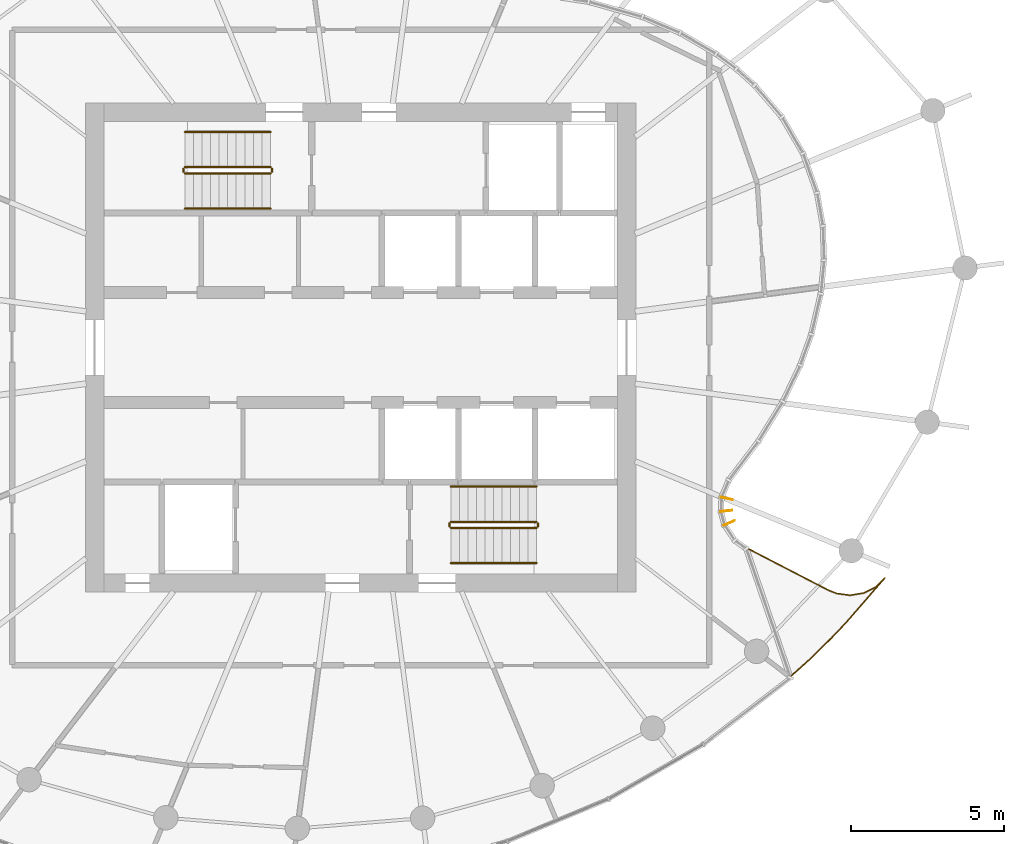
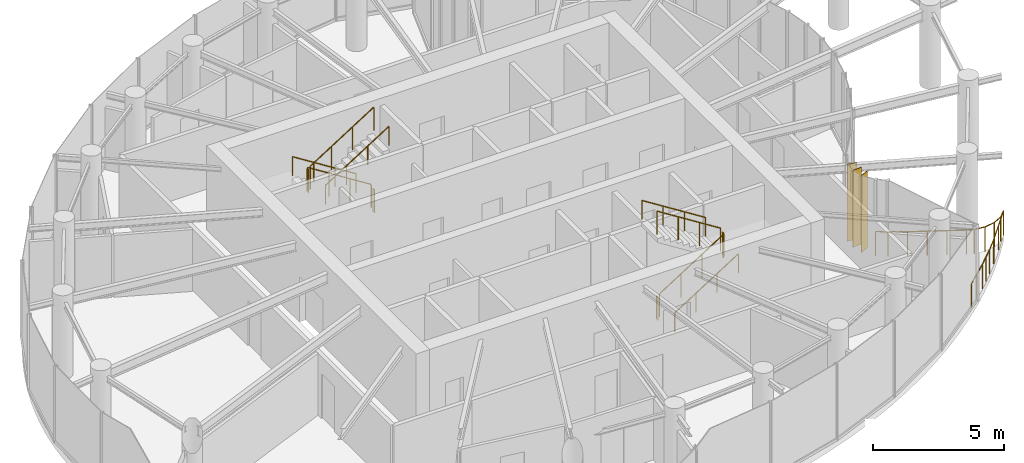
# One storey, part 13 of 14: 13 railings, 3 shading devices.
"""IFC4 building model written with IfcOpenShell, lengths in metres."""

from ifc_helpers import new_model, si_unit, direction, frame, origin, origin_2d, place, context, subcontext, project, spatial, rectangle, circle, extrude, source, transform, mapped, material, material_profile, profile_set, type_object, element, save


model = new_model("IFC4")

# Units and contexts
model_context = context("Model", 3, precision=1e-05, world=origin(), true_north=direction((0.0, 1.0)))
body_context = subcontext(model_context, "Body", "Model", "MODEL_VIEW")
ifc_project = project(units=[si_unit("LENGTHUNIT", "METRE"), si_unit("AREAUNIT", "SQUARE_METRE"), si_unit("VOLUMEUNIT", "CUBIC_METRE"), si_unit("PLANEANGLEUNIT", "RADIAN"), si_unit("MASSUNIT", "GRAM", prefix="KILO")], contexts=[model_context])

# Site, building, storey
site_placement = place(None, origin())
site = spatial("IfcSite", under=ifc_project, at=site_placement, CompositionType="ELEMENT")
building_placement = place(site_placement, origin())
building = spatial("IfcBuilding", under=site, at=building_placement, Name="Spindrift Exchange Tower", CompositionType="ELEMENT")
storey_placement = place(building_placement, frame((0.0, 0.0, 238.39990234375)))
storey = spatial("IfcBuildingStorey", under=building, at=storey_placement, Name="L58", CompositionType="ELEMENT", Elevation=238.39990234375)

# Railings
ifc_material_1 = material(Name="Steel balustrade", Category="steel")
railing_type_1 = type_object("IfcRailingType", Name="RL-STAIR-GUARD", PredefinedType="GUARDRAIL", material=ifc_material_1)
railing_1_placement = place(storey_placement, frame((49.050048828125, 53.89990234375, 0.177490234375)))
element("IfcRailing", 1, at=railing_1_placement, inside=storey, type_object=railing_type_1, Name="L58 ST1 stair guard 1", PredefinedType="GUARDRAIL", context=body_context, shape_type="SweptSolid", body=[
    extrude(circle(Radius=0.02392578125, at=origin_2d()), frame((0.0, 0.0, 1.076171875), z_axis=(-0.844908973607, 0.0, 0.534910110503), x_axis=(0.0, -1.0, 0.0)), (0.0, 0.0, 1.0), 3.31396484375),
    extrude(circle(Radius=0.02099609375, at=origin_2d()), origin(), (0.0, 0.0, 1.0), 1.052001953125),
    extrude(circle(Radius=0.02099609375, at=origin_2d()), frame((-0.933349609375, 0.0, 0.5908203125)), (0.0, 0.0, 1.0), 1.052001953125),
    extrude(circle(Radius=0.02099609375, at=origin_2d()), frame((-1.86669921875, 0.0, 1.181884765625)), (0.0, 0.0, 1.0), 1.052001953125),
    extrude(circle(Radius=0.02099609375, at=origin_2d()), frame((-2.800048828125, 0.0, 1.772705078125)), (0.0, 0.0, 1.0), 1.052001953125),
])
railing_2_placement = place(storey_placement, frame((46.199951171875, 53.85009765625, 1.9501953125)))
element("IfcRailing", 2, at=railing_2_placement, inside=storey, type_object=railing_type_1, Name="L58 ST1 stair guard 2", PredefinedType="GUARDRAIL", context=body_context, shape_type="SweptSolid", body=[
    extrude(circle(Radius=0.02392578125, at=origin_2d()), frame((0.0, 0.0, 1.076171875), z_axis=(0.0, -1.0, 0.0), x_axis=(1.0, 0.0, 0.0)), (0.0, 0.0, 1.0), 0.10009765625),
    extrude(circle(Radius=0.02099609375, at=origin_2d()), origin(), (0.0, 0.0, 1.0), 1.052001953125),
    extrude(circle(Radius=0.02099609375, at=origin_2d()), frame((0.0, -0.10009765625, 0.0)), (0.0, 0.0, 1.0), 1.052001953125),
])
railing_3_placement = place(storey_placement, frame((46.25, 53.699951171875, 2.12744140625)))
element("IfcRailing", 3, at=railing_3_placement, inside=storey, type_object=railing_type_1, Name="L58 ST1 stair guard 3", PredefinedType="GUARDRAIL", context=body_context, shape_type="SweptSolid", body=[
    extrude(circle(Radius=0.02392578125, at=origin_2d()), frame((0.0, 0.0, 1.076171875), z_axis=(0.844908973607, 0.0, 0.534910110503), x_axis=(0.0, 1.0, 0.0)), (0.0, 0.0, 1.0), 3.31396484375),
    extrude(circle(Radius=0.02099609375, at=origin_2d()), origin(), (0.0, 0.0, 1.0), 1.052001953125),
    extrude(circle(Radius=0.02099609375, at=origin_2d()), frame((0.933349609375, 0.0, 0.5908203125)), (0.0, 0.0, 1.0), 1.052001953125),
    extrude(circle(Radius=0.02099609375, at=origin_2d()), frame((1.86669921875, 0.0, 1.181884765625)), (0.0, 0.0, 1.0), 1.052001953125),
    extrude(circle(Radius=0.02099609375, at=origin_2d()), frame((2.800048828125, 0.0, 1.772705078125)), (0.0, 0.0, 1.0), 1.052001953125),
])
railing_4_placement = place(storey_placement, frame((49.10009765625, 53.85009765625, 0.0)))
element("IfcRailing", 4, at=railing_4_placement, inside=storey, type_object=railing_type_1, Name="L58 ST1 stair guard 4", PredefinedType="GUARDRAIL", context=body_context, shape_type="SweptSolid", body=[
    extrude(circle(Radius=0.02392578125, at=origin_2d()), frame((0.0, 0.0, 1.076171875), z_axis=(0.0, -1.0, 0.0), x_axis=(1.0, 0.0, 0.0)), (0.0, 0.0, 1.0), 0.10009765625),
    extrude(circle(Radius=0.02099609375, at=origin_2d()), origin(), (0.0, 0.0, 1.0), 1.052001953125),
    extrude(circle(Radius=0.02099609375, at=origin_2d()), frame((0.0, -0.10009765625, 0.0)), (0.0, 0.0, 1.0), 1.052001953125),
])
railing_5_placement = place(storey_placement, frame((54.949951171875, 42.10009765625, 0.177490234375)))
element("IfcRailing", 5, at=railing_5_placement, inside=storey, type_object=railing_type_1, Name="L58 ST2 stair guard 1", PredefinedType="GUARDRAIL", context=body_context, shape_type="SweptSolid", body=[
    extrude(circle(Radius=0.02392578125, at=origin_2d()), frame((0.0, 0.0, 1.076171875), z_axis=(0.844908973607, 0.0, 0.534910110503), x_axis=(0.0, 1.0, 0.0)), (0.0, 0.0, 1.0), 3.31396484375),
    extrude(circle(Radius=0.02099609375, at=origin_2d()), origin(), (0.0, 0.0, 1.0), 1.052001953125),
    extrude(circle(Radius=0.02099609375, at=origin_2d()), frame((0.933349609375, 0.0, 0.5908203125)), (0.0, 0.0, 1.0), 1.052001953125),
    extrude(circle(Radius=0.02099609375, at=origin_2d()), frame((1.86669921875, 0.0, 1.181884765625)), (0.0, 0.0, 1.0), 1.052001953125),
    extrude(circle(Radius=0.02099609375, at=origin_2d()), frame((2.800048828125, 0.0, 1.772705078125)), (0.0, 0.0, 1.0), 1.052001953125),
])
railing_6_placement = place(storey_placement, frame((57.800048828125, 42.14990234375, 1.9501953125)))
element("IfcRailing", 6, at=railing_6_placement, inside=storey, type_object=railing_type_1, Name="L58 ST2 stair guard 2", PredefinedType="GUARDRAIL", context=body_context, shape_type="SweptSolid", body=[
    extrude(circle(Radius=0.02392578125, at=origin_2d()), frame((0.0, 0.0, 1.076171875), z_axis=(0.0, 1.0, 0.0), x_axis=(-1.0, 0.0, 0.0)), (0.0, 0.0, 1.0), 0.10009765625),
    extrude(circle(Radius=0.02099609375, at=origin_2d()), origin(), (0.0, 0.0, 1.0), 1.052001953125),
    extrude(circle(Radius=0.02099609375, at=origin_2d()), frame((0.0, 0.10009765625, 0.0)), (0.0, 0.0, 1.0), 1.052001953125),
])
railing_7_placement = place(storey_placement, frame((57.75, 42.300048828125, 2.12744140625)))
element("IfcRailing", 7, at=railing_7_placement, inside=storey, type_object=railing_type_1, Name="L58 ST2 stair guard 3", PredefinedType="GUARDRAIL", context=body_context, shape_type="SweptSolid", body=[
    extrude(circle(Radius=0.02392578125, at=origin_2d()), frame((0.0, 0.0, 1.076171875), z_axis=(-0.844908973607, 0.0, 0.534910110503), x_axis=(0.0, -1.0, 0.0)), (0.0, 0.0, 1.0), 3.31396484375),
    extrude(circle(Radius=0.02099609375, at=origin_2d()), origin(), (0.0, 0.0, 1.0), 1.052001953125),
    extrude(circle(Radius=0.02099609375, at=origin_2d()), frame((-0.933349609375, 0.0, 0.5908203125)), (0.0, 0.0, 1.0), 1.052001953125),
    extrude(circle(Radius=0.02099609375, at=origin_2d()), frame((-1.86669921875, 0.0, 1.181884765625)), (0.0, 0.0, 1.0), 1.052001953125),
    extrude(circle(Radius=0.02099609375, at=origin_2d()), frame((-2.800048828125, 0.0, 1.772705078125)), (0.0, 0.0, 1.0), 1.052001953125),
])
railing_8_placement = place(storey_placement, frame((54.89990234375, 42.14990234375, 0.0)))
element("IfcRailing", 8, at=railing_8_placement, inside=storey, type_object=railing_type_1, Name="L58 ST2 stair guard 4", PredefinedType="GUARDRAIL", context=body_context, shape_type="SweptSolid", body=[
    extrude(circle(Radius=0.02392578125, at=origin_2d()), frame((0.0, 0.0, 1.076171875), z_axis=(0.0, 1.0, 0.0), x_axis=(-1.0, 0.0, 0.0)), (0.0, 0.0, 1.0), 0.10009765625),
    extrude(circle(Radius=0.02099609375, at=origin_2d()), origin(), (0.0, 0.0, 1.0), 1.052001953125),
    extrude(circle(Radius=0.02099609375, at=origin_2d()), frame((0.0, 0.10009765625, 0.0)), (0.0, 0.0, 1.0), 1.052001953125),
])
ifc_material_2 = material(Name="Steel tubular handrail", Category="steel")
railing_type_2 = type_object("IfcRailingType", Name="RL-STAIR-HAND", PredefinedType="HANDRAIL", material=ifc_material_2)
railing_9_placement = place(storey_placement, frame((49.050048828125, 55.050048828125, 0.177490234375)))
element("IfcRailing", 9, at=railing_9_placement, inside=storey, type_object=railing_type_2, Name="L58 ST1 stair handrail 1", PredefinedType="HANDRAIL", context=body_context, shape_type="SweptSolid", body=[
    extrude(circle(Radius=0.02392578125, at=origin_2d()), frame((0.0, 0.0, 0.8759765625), z_axis=(-0.844908973607, 0.0, 0.534910110503), x_axis=(0.0, -1.0, 0.0)), (0.0, 0.0, 1.0), 3.31396484375),
    extrude(circle(Radius=0.02099609375, at=origin_2d()), origin(), (0.0, 0.0, 1.0), 0.851806640625),
    extrude(circle(Radius=0.02099609375, at=origin_2d()), frame((-0.933349609375, 0.0, 0.5908203125)), (0.0, 0.0, 1.0), 0.851806640625),
    extrude(circle(Radius=0.02099609375, at=origin_2d()), frame((-1.86669921875, 0.0, 1.181884765625)), (0.0, 0.0, 1.0), 0.851806640625),
    extrude(circle(Radius=0.02099609375, at=origin_2d()), frame((-2.800048828125, 0.0, 1.772705078125)), (0.0, 0.0, 1.0), 0.851806640625),
])
for number, where, name in (
    (10, (46.25, 52.550048828125, 2.12744140625), "L58 ST1 stair handrail 2"),
    (11, (54.949951171875, 40.949951171875, 0.177490234375), "L58 ST2 stair handrail 1"),
):
    element("IfcRailing", number, at=place(storey_placement, frame(where)), inside=storey, type_object=railing_type_2, Name=name, PredefinedType="HANDRAIL", context=body_context, shape_type="SweptSolid", body=[
        extrude(circle(Radius=0.02392578125, at=origin_2d()), frame((0.0, 0.0, 0.8759765625), z_axis=(0.844908973607, 0.0, 0.534910110503), x_axis=(0.0, 1.0, 0.0)), (0.0, 0.0, 1.0), 3.31396484375),
        extrude(circle(Radius=0.02099609375, at=origin_2d()), origin(), (0.0, 0.0, 1.0), 0.851806640625),
        extrude(circle(Radius=0.02099609375, at=origin_2d()), frame((0.933349609375, 0.0, 0.5908203125)), (0.0, 0.0, 1.0), 0.851806640625),
        extrude(circle(Radius=0.02099609375, at=origin_2d()), frame((1.86669921875, 0.0, 1.181884765625)), (0.0, 0.0, 1.0), 0.851806640625),
        extrude(circle(Radius=0.02099609375, at=origin_2d()), frame((2.800048828125, 0.0, 1.772705078125)), (0.0, 0.0, 1.0), 0.851806640625),
    ])
railing_10_placement = place(storey_placement, frame((57.75, 43.449951171875, 2.12744140625)))
element("IfcRailing", 12, at=railing_10_placement, inside=storey, type_object=railing_type_2, Name="L58 ST2 stair handrail 2", PredefinedType="HANDRAIL", context=body_context, shape_type="SweptSolid", body=[
    extrude(circle(Radius=0.02392578125, at=origin_2d()), frame((0.0, 0.0, 0.8759765625), z_axis=(-0.844908973607, 0.0, 0.534910110503), x_axis=(0.0, -1.0, 0.0)), (0.0, 0.0, 1.0), 3.31396484375),
    extrude(circle(Radius=0.02099609375, at=origin_2d()), origin(), (0.0, 0.0, 1.0), 0.851806640625),
    extrude(circle(Radius=0.02099609375, at=origin_2d()), frame((-0.933349609375, 0.0, 0.5908203125)), (0.0, 0.0, 1.0), 0.851806640625),
    extrude(circle(Radius=0.02099609375, at=origin_2d()), frame((-1.86669921875, 0.0, 1.181884765625)), (0.0, 0.0, 1.0), 0.851806640625),
    extrude(circle(Radius=0.02099609375, at=origin_2d()), frame((-2.800048828125, 0.0, 1.772705078125)), (0.0, 0.0, 1.0), 0.851806640625),
])
ifc_material_3 = material(Name="Bronze anodised aluminium balustrade", Category="aluminium")
railing_type_3 = type_object("IfcRailingType", Name="TERRACE GUARDRAIL 1150", PredefinedType="GUARDRAIL", material=ifc_material_3)
railing_11_placement = place(storey_placement, frame((64.247314453125, 41.72802734375, 0.0)))
element("IfcRailing", 13, at=railing_11_placement, inside=storey, type_object=railing_type_3, Name="L58 Sky Garden Edge Guardrail 2", PredefinedType="GUARDRAIL", context=body_context, shape_type="SweptSolid", body=[
    extrude(circle(Radius=0.02392578125, at=origin_2d()), frame((0.0, 0.0, 1.1259765625), z_axis=(0.803920341668, -0.594736987459, 0.0), x_axis=(0.594736987459, 0.803920341668, 0.0)), (0.0, 0.0, 1.0), 0.47607421875),
    extrude(circle(Radius=0.02392578125, at=origin_2d()), frame((0.3828125, -0.283203125, 1.1259765625), z_axis=(0.888256577411, -0.459347638163, 0.0), x_axis=(0.459347638163, 0.888256577411, 0.0)), (0.0, 0.0, 1.0), 1.499755859375),
    extrude(circle(Radius=0.02392578125, at=origin_2d()), frame((1.715087890625, -0.97216796875, 1.1259765625), z_axis=(0.888288651698, -0.459285609685, 0.0), x_axis=(0.459285609685, 0.888288651698, 0.0)), (0.0, 0.0, 1.0), 1.49951171875),
    extrude(circle(Radius=0.02392578125, at=origin_2d()), frame((3.047119140625, -1.660888671875, 1.1259765625), z_axis=(0.929428638629, -0.369001904732, 0.0), x_axis=(0.369001904732, 0.929428638629, 0.0)), (0.0, 0.0, 1.0), 0.2998046875),
    extrude(circle(Radius=0.02392578125, at=origin_2d()), frame((3.32568359375, -1.771484375, 1.1259765625), z_axis=(0.991303723026, -0.13159380196, 0.0), x_axis=(0.13159380196, 0.991303723026, 0.0)), (0.0, 0.0, 1.0), 0.448974609375),
    extrude(circle(Radius=0.02392578125, at=origin_2d()), frame((3.770751953125, -1.83056640625, 1.1259765625), z_axis=(0.986437955314, 0.164134579892, 0.0), x_axis=(-0.164134579892, 0.986437955314, 0.0)), (0.0, 0.0, 1.0), 0.44921875),
    extrude(circle(Radius=0.02392578125, at=origin_2d()), frame((4.2138671875, -1.7568359375, 1.1259765625), z_axis=(0.895835204997, 0.444386414607, 0.0), x_axis=(-0.444386414607, 0.895835204997, 0.0)), (0.0, 0.0, 1.0), 0.449462890625),
    extrude(circle(Radius=0.02392578125, at=origin_2d()), frame((4.616455078125, -1.55712890625, 1.1259765625), z_axis=(0.69956092296, 0.714572959933, 0.0), x_axis=(-0.714572959933, 0.69956092296, 0.0)), (0.0, 0.0, 1.0), 0.406494140625),
    extrude(circle(Radius=0.02392578125, at=origin_2d()), frame((4.90087890625, -1.2666015625, 1.1259765625), z_axis=(-0.655207867536, -0.755448641748, 0.0), x_axis=(0.755448641748, -0.655207867536, 0.0)), (0.0, 0.0, 1.0), 0.9716796875),
    extrude(circle(Radius=0.02392578125, at=origin_2d()), frame((4.26416015625, -2.000732421875, 1.1259765625), z_axis=(-0.654940102718, -0.755680793623, 0.0), x_axis=(0.755680793623, -0.654940102718, 0.0)), (0.0, 0.0, 1.0), 0.971923828125),
    extrude(circle(Radius=0.02392578125, at=origin_2d()), frame((3.627685546875, -2.735107421875, 1.1259765625), z_axis=(-0.688664174247, -0.725080447336, 0.0), x_axis=(0.725080447336, -0.688664174247, 0.0)), (0.0, 0.0, 1.0), 0.677001953125),
    extrude(circle(Radius=0.02392578125, at=origin_2d()), frame((3.161376953125, -3.22607421875, 1.1259765625), z_axis=(-0.713325895455, -0.700832481321, 0.0), x_axis=(0.700832481321, -0.713325895455, 0.0)), (0.0, 0.0, 1.0), 1.01611328125),
    extrude(circle(Radius=0.02392578125, at=origin_2d()), frame((2.4365234375, -3.938232421875, 1.1259765625), z_axis=(-0.747795611535, -0.663929004766, 0.0), x_axis=(0.663929004766, -0.747795611535, 0.0)), (0.0, 0.0, 1.0), 1.359375),
    extrude(circle(Radius=0.02099609375, at=origin_2d()), origin(), (0.0, 0.0, 1.0), 1.101806640625),
    extrude(circle(Radius=0.02099609375, at=origin_2d()), frame((0.3828125, -0.283203125, 0.0)), (0.0, 0.0, 1.0), 1.101806640625),
    extrude(circle(Radius=0.02099609375, at=origin_2d()), frame((1.048828125, -0.627685546875, 0.0)), (0.0, 0.0, 1.0), 1.101806640625),
    extrude(circle(Radius=0.02099609375, at=origin_2d()), frame((1.715087890625, -0.97216796875, 0.0)), (0.0, 0.0, 1.0), 1.101806640625),
    extrude(circle(Radius=0.02099609375, at=origin_2d()), frame((2.381103515625, -1.31640625, 0.0)), (0.0, 0.0, 1.0), 1.101806640625),
    extrude(circle(Radius=0.02099609375, at=origin_2d()), frame((3.047119140625, -1.660888671875, 0.0)), (0.0, 0.0, 1.0), 1.101806640625),
    extrude(circle(Radius=0.02099609375, at=origin_2d()), frame((3.32568359375, -1.771484375, 0.0)), (0.0, 0.0, 1.0), 1.101806640625),
    extrude(circle(Radius=0.02099609375, at=origin_2d()), frame((3.770751953125, -1.83056640625, 0.0)), (0.0, 0.0, 1.0), 1.101806640625),
    extrude(circle(Radius=0.02099609375, at=origin_2d()), frame((4.2138671875, -1.7568359375, 0.0)), (0.0, 0.0, 1.0), 1.101806640625),
    extrude(circle(Radius=0.02099609375, at=origin_2d()), frame((4.616455078125, -1.55712890625, 0.0)), (0.0, 0.0, 1.0), 1.101806640625),
    extrude(circle(Radius=0.02099609375, at=origin_2d()), frame((4.90087890625, -1.2666015625, 0.0)), (0.0, 0.0, 1.0), 1.101806640625),
    extrude(circle(Radius=0.02099609375, at=origin_2d()), frame((4.26416015625, -2.000732421875, 0.0)), (0.0, 0.0, 1.0), 1.101806640625),
    extrude(circle(Radius=0.02099609375, at=origin_2d()), frame((3.627685546875, -2.735107421875, 0.0)), (0.0, 0.0, 1.0), 1.101806640625),
    extrude(circle(Radius=0.02099609375, at=origin_2d()), frame((3.161376953125, -3.22607421875, 0.0)), (0.0, 0.0, 1.0), 1.101806640625),
    extrude(circle(Radius=0.02099609375, at=origin_2d()), frame((2.798828125, -3.58203125, 0.0)), (0.0, 0.0, 1.0), 1.101806640625),
    extrude(circle(Radius=0.02099609375, at=origin_2d()), frame((2.4365234375, -3.938232421875, 0.0)), (0.0, 0.0, 1.0), 1.101806640625),
    extrude(circle(Radius=0.02099609375, at=origin_2d()), frame((1.92822265625, -4.3896484375, 0.0)), (0.0, 0.0, 1.0), 1.101806640625),
    extrude(circle(Radius=0.02099609375, at=origin_2d()), frame((1.419921875, -4.8408203125, 0.0)), (0.0, 0.0, 1.0), 1.101806640625),
])

# Shading devices
ifc_material_4 = material(Name="Bronze anodised aluminium", Category="aluminium")
ifc_material_profile = material_profile(ifc_material_4, rectangle(XDim=0.030029296875, YDim=0.39990234375, at=origin_2d()), Name="WIND FIN 30X400")
ifc_profile_set = profile_set([ifc_material_profile], Name="Bronze anodised aluminium")
shading_device_type = type_object("IfcShadingDeviceType", Name="WIND FIN 30X400", PredefinedType="USERDEFINED", material=ifc_profile_set)
shared_shape = source(origin(), body_context, "Body", "SweptSolid", [
    extrude(rectangle(XDim=0.030029296875, YDim=0.39990234375, at=origin_2d()), origin(), (0.0, 0.0, 1.0), 3.580078125),
])
for number, where, z_axis, x_axis, name in (
    (14, (64.0576171875, 42.261474609375, 0.0), (0.0, 0.0, 1.0), (-0.412373153063, 0.911015028764, 0.0), "L58 wind fin 1"),
    (15, (63.95703125, 42.65380859375, 0.0), (0.0, 0.0, 1.0), (-0.102493925725, 0.99473363027, 0.0), "L58 wind fin 2"),
    (16, (63.9755859375, 43.06298828125, 0.0), (0.0, 0.0, 1.0), (0.218623544448, 0.975809277376, 0.0), "L58 wind fin 3"),
):
    element("IfcShadingDevice", number, at=place(storey_placement, frame(where, z_axis=z_axis, x_axis=x_axis)), inside=storey, type_object=shading_device_type, Name=name, ObjectType="FIN", PredefinedType="USERDEFINED", context=body_context, shape_type="MappedRepresentation", body=[
        mapped(shared_shape, transform((0.0, 0.0, 0.0), scale=1.0)),
    ])

save(model, "model.ifc")
